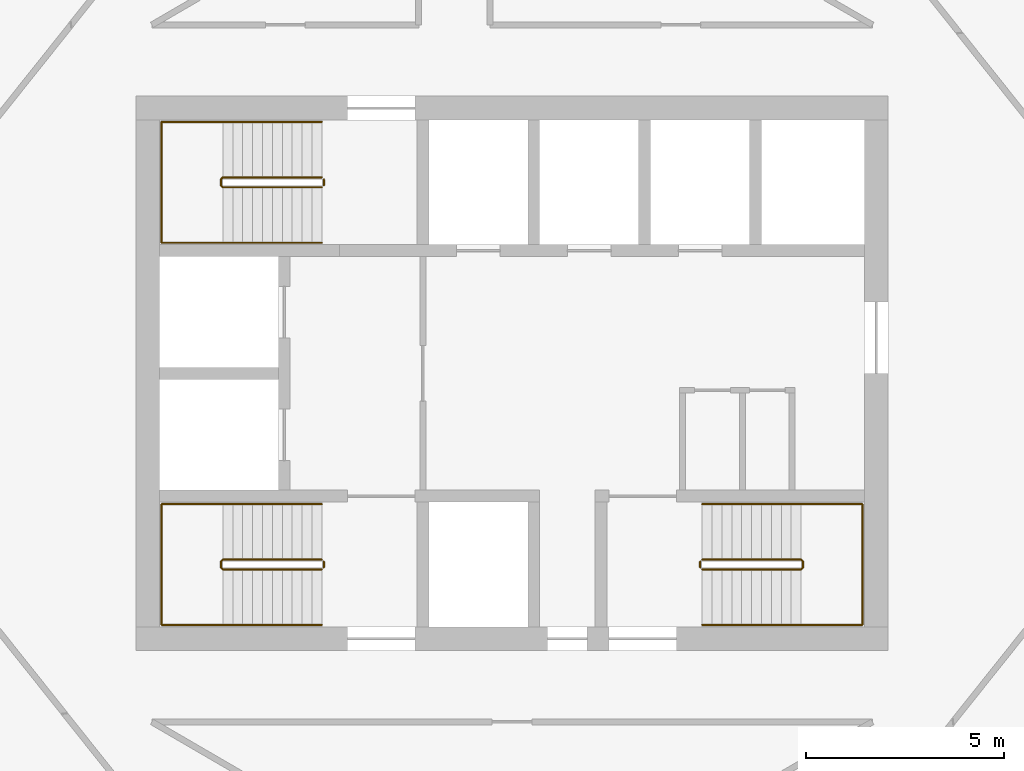
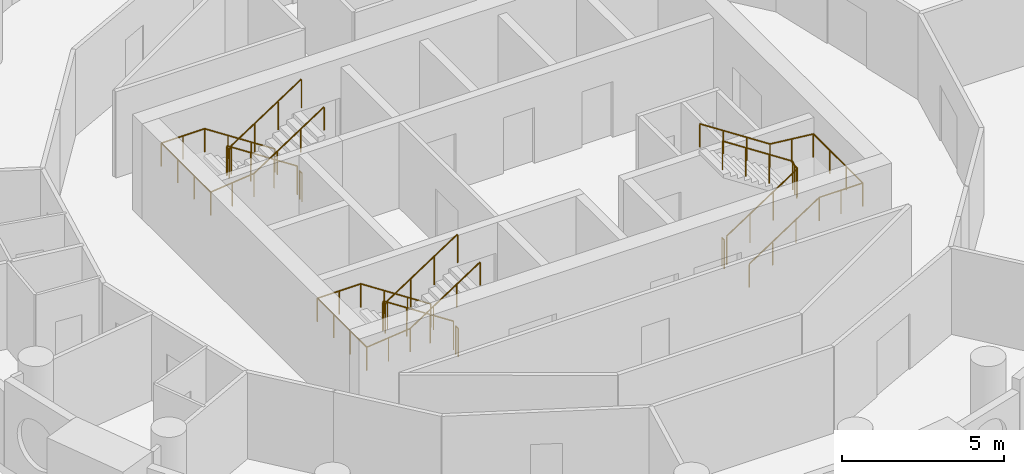
# One storey, part 12 of 12: 9 railings.
"""IFC4 building model written with IfcOpenShell, lengths in metres."""

from ifc_helpers import new_model, si_unit, direction, frame, origin, origin_2d, place, context, subcontext, project, spatial, circle, extrude, material, type_object, element, save


model = new_model("IFC4")

# Units and contexts
model_context = context("Model", 3, precision=1e-05, world=origin(), true_north=direction((0.0, 1.0)))
body_context = subcontext(model_context, "Body", "Model", "MODEL_VIEW")
ifc_project = project(units=[si_unit("LENGTHUNIT", "METRE"), si_unit("AREAUNIT", "SQUARE_METRE"), si_unit("VOLUMEUNIT", "CUBIC_METRE"), si_unit("PLANEANGLEUNIT", "RADIAN"), si_unit("MASSUNIT", "GRAM", prefix="KILO")], contexts=[model_context])

# Site, building, storey
site_placement = place(None, origin())
site = spatial("IfcSite", under=ifc_project, at=site_placement, CompositionType="ELEMENT")
building_placement = place(site_placement, origin())
building = spatial("IfcBuilding", under=site, at=building_placement, Name="Tracery Tower", CompositionType="ELEMENT")
storey_placement = place(building_placement, frame((0.0, 0.0, 249.0)))
storey = spatial("IfcBuildingStorey", under=building, at=storey_placement, Name="L64", CompositionType="ELEMENT", Elevation=249.0)

# Railings
ifc_material_1 = material(Name="Stainless steel and laminated glass", Category="steel")
railing_type_1 = type_object("IfcRailingType", Name="Stair guard 1100", PredefinedType="GUARDRAIL", material=ifc_material_1)
railing_1_placement = place(storey_placement, frame((-4.800048828125, -4.699951171875, 0.16357421875)))
element("IfcRailing", 1, at=railing_1_placement, inside=storey, type_object=railing_type_1, Name="L64 stair ST1 guard 1", PredefinedType="GUARDRAIL", context=body_context, shape_type="SweptSolid", body=[
    extrude(circle(Radius=0.02392578125, at=origin_2d()), frame((0.0, 0.0, 1.076171875), z_axis=(-0.83668449804, 0.0, 0.54768517484), x_axis=(0.0, -1.0, 0.0)), (0.0, 0.0, 1.0), 2.988037109375),
    extrude(circle(Radius=0.02392578125, at=origin_2d()), frame((-2.5, 0.0, 2.71240234375), z_axis=(-0.707106781187, -0.707106781187, 0.0), x_axis=(0.707106781187, -0.707106781187, 0.0)), (0.0, 0.0, 1.0), 0.07080078125),
    extrude(circle(Radius=0.02392578125, at=origin_2d()), frame((-2.550048828125, -0.050048828125, 2.71240234375), z_axis=(0.0, -1.0, 0.0), x_axis=(1.0, 0.0, 0.0)), (0.0, 0.0, 1.0), 0.14990234375),
    extrude(circle(Radius=0.02392578125, at=origin_2d()), frame((-2.550048828125, -0.199951171875, 2.71240234375), z_axis=(0.280808744504, -0.280808744504, 0.917765164963), x_axis=(0.707106781187, 0.707106781187, 0.0)), (0.0, 0.0, 1.0), 0.17822265625),
    extrude(circle(Radius=0.02392578125, at=origin_2d()), frame((-2.5, -0.25, 2.8759765625), z_axis=(0.83668449804, 0.0, 0.54768517484), x_axis=(0.0, 1.0, 0.0)), (0.0, 0.0, 1.0), 2.988037109375),
    extrude(circle(Radius=0.02099609375, at=origin_2d()), origin(), (0.0, 0.0, 1.0), 1.052001953125),
    extrude(circle(Radius=0.02099609375, at=origin_2d()), frame((-0.833251953125, 0.0, 0.54541015625)), (0.0, 0.0, 1.0), 1.052001953125),
    extrude(circle(Radius=0.02099609375, at=origin_2d()), frame((-1.666748046875, 0.0, 1.091064453125)), (0.0, 0.0, 1.0), 1.052001953125),
    extrude(circle(Radius=0.02099609375, at=origin_2d()), frame((-2.5, 0.0, 1.636474609375)), (0.0, 0.0, 1.0), 1.052001953125),
    extrude(circle(Radius=0.02099609375, at=origin_2d()), frame((-2.550048828125, -0.050048828125, 1.636474609375)), (0.0, 0.0, 1.0), 1.052001953125),
    extrude(circle(Radius=0.02099609375, at=origin_2d()), frame((-2.550048828125, -0.199951171875, 1.636474609375)), (0.0, 0.0, 1.0), 1.052001953125),
    extrude(circle(Radius=0.02099609375, at=origin_2d()), frame((-2.5, -0.25, 1.800048828125)), (0.0, 0.0, 1.0), 1.052001953125),
    extrude(circle(Radius=0.02099609375, at=origin_2d()), frame((-1.666748046875, -0.25, 2.345458984375)), (0.0, 0.0, 1.0), 1.052001953125),
    extrude(circle(Radius=0.02099609375, at=origin_2d()), frame((-0.833251953125, -0.25, 2.89111328125)), (0.0, 0.0, 1.0), 1.052001953125),
    extrude(circle(Radius=0.02099609375, at=origin_2d()), frame((0.0, -0.25, 3.4365234375)), (0.0, 0.0, 1.0), 1.052001953125),
])
railing_2_placement = place(storey_placement, frame((-4.75, -4.75, 0.0)))
element("IfcRailing", 2, at=railing_2_placement, inside=storey, type_object=railing_type_1, Name="L64 stair ST1 guard 2", PredefinedType="GUARDRAIL", context=body_context, shape_type="SweptSolid", body=[
    extrude(circle(Radius=0.02392578125, at=origin_2d()), frame((0.0, 0.0, 1.076171875), z_axis=(0.0, -1.0, 0.0), x_axis=(1.0, 0.0, 0.0)), (0.0, 0.0, 1.0), 0.14990234375),
    extrude(circle(Radius=0.02099609375, at=origin_2d()), origin(), (0.0, 0.0, 1.0), 1.052001953125),
    extrude(circle(Radius=0.02099609375, at=origin_2d()), frame((0.0, -0.14990234375, 0.0)), (0.0, 0.0, 1.0), 1.052001953125),
])
railing_3_placement = place(storey_placement, frame((-4.800048828125, 4.949951171875, 0.16357421875)))
element("IfcRailing", 3, at=railing_3_placement, inside=storey, type_object=railing_type_1, Name="L64 stair ST3 guard 1", PredefinedType="GUARDRAIL", context=body_context, shape_type="SweptSolid", body=[
    extrude(circle(Radius=0.02392578125, at=origin_2d()), frame((0.0, 0.0, 1.076171875), z_axis=(-0.83668449804, 0.0, 0.54768517484), x_axis=(0.0, -1.0, 0.0)), (0.0, 0.0, 1.0), 2.988037109375),
    extrude(circle(Radius=0.02392578125, at=origin_2d()), frame((-2.5, 0.0, 2.71240234375), z_axis=(-0.707106781187, -0.707106781187, 0.0), x_axis=(0.707106781187, -0.707106781187, 0.0)), (0.0, 0.0, 1.0), 0.07080078125),
    extrude(circle(Radius=0.02392578125, at=origin_2d()), frame((-2.550048828125, -0.050048828125, 2.71240234375), z_axis=(0.0, -1.0, 0.0), x_axis=(1.0, 0.0, 0.0)), (0.0, 0.0, 1.0), 0.14990234375),
    extrude(circle(Radius=0.02392578125, at=origin_2d()), frame((-2.550048828125, -0.199951171875, 2.71240234375), z_axis=(0.280808744504, -0.280808744504, 0.917765164963), x_axis=(0.707106781187, 0.707106781187, 0.0)), (0.0, 0.0, 1.0), 0.17822265625),
    extrude(circle(Radius=0.02392578125, at=origin_2d()), frame((-2.5, -0.25, 2.8759765625), z_axis=(0.83668449804, 0.0, 0.54768517484), x_axis=(0.0, 1.0, 0.0)), (0.0, 0.0, 1.0), 2.988037109375),
    extrude(circle(Radius=0.02099609375, at=origin_2d()), origin(), (0.0, 0.0, 1.0), 1.052001953125),
    extrude(circle(Radius=0.02099609375, at=origin_2d()), frame((-0.833251953125, 0.0, 0.54541015625)), (0.0, 0.0, 1.0), 1.052001953125),
    extrude(circle(Radius=0.02099609375, at=origin_2d()), frame((-1.666748046875, 0.0, 1.091064453125)), (0.0, 0.0, 1.0), 1.052001953125),
    extrude(circle(Radius=0.02099609375, at=origin_2d()), frame((-2.5, 0.0, 1.636474609375)), (0.0, 0.0, 1.0), 1.052001953125),
    extrude(circle(Radius=0.02099609375, at=origin_2d()), frame((-2.550048828125, -0.050048828125, 1.636474609375)), (0.0, 0.0, 1.0), 1.052001953125),
    extrude(circle(Radius=0.02099609375, at=origin_2d()), frame((-2.550048828125, -0.199951171875, 1.636474609375)), (0.0, 0.0, 1.0), 1.052001953125),
    extrude(circle(Radius=0.02099609375, at=origin_2d()), frame((-2.5, -0.25, 1.800048828125)), (0.0, 0.0, 1.0), 1.052001953125),
    extrude(circle(Radius=0.02099609375, at=origin_2d()), frame((-1.666748046875, -0.25, 2.345458984375)), (0.0, 0.0, 1.0), 1.052001953125),
    extrude(circle(Radius=0.02099609375, at=origin_2d()), frame((-0.833251953125, -0.25, 2.89111328125)), (0.0, 0.0, 1.0), 1.052001953125),
    extrude(circle(Radius=0.02099609375, at=origin_2d()), frame((0.0, -0.25, 3.4365234375)), (0.0, 0.0, 1.0), 1.052001953125),
])
railing_4_placement = place(storey_placement, frame((-4.75, 4.89990234375, 0.0)))
element("IfcRailing", 4, at=railing_4_placement, inside=storey, type_object=railing_type_1, Name="L64 stair ST3 guard 2", PredefinedType="GUARDRAIL", context=body_context, shape_type="SweptSolid", body=[
    extrude(circle(Radius=0.02392578125, at=origin_2d()), frame((0.0, 0.0, 1.076171875), z_axis=(0.0, -1.0, 0.0), x_axis=(1.0, 0.0, 0.0)), (0.0, 0.0, 1.0), 0.14990234375),
    extrude(circle(Radius=0.02099609375, at=origin_2d()), origin(), (0.0, 0.0, 1.0), 1.052001953125),
    extrude(circle(Radius=0.02099609375, at=origin_2d()), frame((0.0, -0.14990234375, 0.0)), (0.0, 0.0, 1.0), 1.052001953125),
])
railing_5_placement = place(storey_placement, frame((4.800048828125, -4.949951171875, 0.16357421875)))
element("IfcRailing", 5, at=railing_5_placement, inside=storey, type_object=railing_type_1, Name="L64 stair ST2 guard 1", PredefinedType="GUARDRAIL", context=body_context, shape_type="SweptSolid", body=[
    extrude(circle(Radius=0.02392578125, at=origin_2d()), frame((0.0, 0.0, 1.076171875), z_axis=(0.83668449804, 0.0, 0.54768517484), x_axis=(0.0, 1.0, 0.0)), (0.0, 0.0, 1.0), 2.988037109375),
    extrude(circle(Radius=0.02392578125, at=origin_2d()), frame((2.5, 0.0, 2.71240234375), z_axis=(0.707106781187, 0.707106781187, 0.0), x_axis=(-0.707106781187, 0.707106781187, 0.0)), (0.0, 0.0, 1.0), 0.07080078125),
    extrude(circle(Radius=0.02392578125, at=origin_2d()), frame((2.550048828125, 0.050048828125, 2.71240234375), z_axis=(0.0, 1.0, 0.0), x_axis=(-1.0, 0.0, 0.0)), (0.0, 0.0, 1.0), 0.14990234375),
    extrude(circle(Radius=0.02392578125, at=origin_2d()), frame((2.550048828125, 0.199951171875, 2.71240234375), z_axis=(-0.280808744504, 0.280808744504, 0.917765164963), x_axis=(-0.707106781187, -0.707106781187, 0.0)), (0.0, 0.0, 1.0), 0.17822265625),
    extrude(circle(Radius=0.02392578125, at=origin_2d()), frame((2.5, 0.25, 2.8759765625), z_axis=(-0.83668449804, 0.0, 0.54768517484), x_axis=(0.0, -1.0, 0.0)), (0.0, 0.0, 1.0), 2.988037109375),
    extrude(circle(Radius=0.02099609375, at=origin_2d()), origin(), (0.0, 0.0, 1.0), 1.052001953125),
    extrude(circle(Radius=0.02099609375, at=origin_2d()), frame((0.833251953125, 0.0, 0.54541015625)), (0.0, 0.0, 1.0), 1.052001953125),
    extrude(circle(Radius=0.02099609375, at=origin_2d()), frame((1.666748046875, 0.0, 1.091064453125)), (0.0, 0.0, 1.0), 1.052001953125),
    extrude(circle(Radius=0.02099609375, at=origin_2d()), frame((2.5, 0.0, 1.636474609375)), (0.0, 0.0, 1.0), 1.052001953125),
    extrude(circle(Radius=0.02099609375, at=origin_2d()), frame((2.550048828125, 0.050048828125, 1.636474609375)), (0.0, 0.0, 1.0), 1.052001953125),
    extrude(circle(Radius=0.02099609375, at=origin_2d()), frame((2.550048828125, 0.199951171875, 1.636474609375)), (0.0, 0.0, 1.0), 1.052001953125),
    extrude(circle(Radius=0.02099609375, at=origin_2d()), frame((2.5, 0.25, 1.800048828125)), (0.0, 0.0, 1.0), 1.052001953125),
    extrude(circle(Radius=0.02099609375, at=origin_2d()), frame((1.666748046875, 0.25, 2.345458984375)), (0.0, 0.0, 1.0), 1.052001953125),
    extrude(circle(Radius=0.02099609375, at=origin_2d()), frame((0.833251953125, 0.25, 2.89111328125)), (0.0, 0.0, 1.0), 1.052001953125),
    extrude(circle(Radius=0.02099609375, at=origin_2d()), frame((0.0, 0.25, 3.4365234375)), (0.0, 0.0, 1.0), 1.052001953125),
])
railing_6_placement = place(storey_placement, frame((4.75, -4.89990234375, 0.0)))
element("IfcRailing", 6, at=railing_6_placement, inside=storey, type_object=railing_type_1, Name="L64 stair ST2 guard 2", PredefinedType="GUARDRAIL", context=body_context, shape_type="SweptSolid", body=[
    extrude(circle(Radius=0.02392578125, at=origin_2d()), frame((0.0, 0.0, 1.076171875), z_axis=(0.0, 1.0, 0.0), x_axis=(-1.0, 0.0, 0.0)), (0.0, 0.0, 1.0), 0.14990234375),
    extrude(circle(Radius=0.02099609375, at=origin_2d()), origin(), (0.0, 0.0, 1.0), 1.052001953125),
    extrude(circle(Radius=0.02099609375, at=origin_2d()), frame((0.0, 0.14990234375, 0.0)), (0.0, 0.0, 1.0), 1.052001953125),
])
ifc_material_2 = material(Name="Stainless steel and laminated glass", Category="steel")
railing_type_2 = type_object("IfcRailingType", Name="Stair handrail 900", PredefinedType="HANDRAIL", material=ifc_material_2)
railing_7_placement = place(storey_placement, frame((-4.800048828125, -3.300048828125, 0.16357421875)))
element("IfcRailing", 7, at=railing_7_placement, inside=storey, type_object=railing_type_2, Name="L64 stair ST1 handrail 1", PredefinedType="HANDRAIL", context=body_context, shape_type="SweptSolid", body=[
    extrude(circle(Radius=0.02392578125, at=origin_2d()), frame((0.0, 0.0, 0.8759765625), z_axis=(-0.83668449804, 0.0, 0.54768517484), x_axis=(0.0, -1.0, 0.0)), (0.0, 0.0, 1.0), 2.988037109375),
    extrude(circle(Radius=0.02392578125, at=origin_2d()), frame((-2.5, 0.0, 2.51220703125), z_axis=(-1.0, 0.0, 0.0), x_axis=(0.0, -1.0, 0.0)), (0.0, 0.0, 1.0), 1.550048828125),
    extrude(circle(Radius=0.02392578125, at=origin_2d()), frame((-4.050048828125, 0.0, 2.51220703125), z_axis=(0.0, -1.0, 0.0), x_axis=(1.0, 0.0, 0.0)), (0.0, 0.0, 1.0), 3.050048828125),
    extrude(circle(Radius=0.02392578125, at=origin_2d()), frame((-4.050048828125, -3.050048828125, 2.51220703125), z_axis=(0.994477953863, 0.0, 0.104945696817), x_axis=(0.0, 1.0, 0.0)), (0.0, 0.0, 1.0), 1.55859375),
    extrude(circle(Radius=0.02392578125, at=origin_2d()), frame((-2.5, -3.050048828125, 2.67578125), z_axis=(0.83668449804, 0.0, 0.54768517484), x_axis=(0.0, 1.0, 0.0)), (0.0, 0.0, 1.0), 2.988037109375),
    extrude(circle(Radius=0.02099609375, at=origin_2d()), origin(), (0.0, 0.0, 1.0), 0.851806640625),
    extrude(circle(Radius=0.02099609375, at=origin_2d()), frame((-0.833251953125, 0.0, 0.54541015625)), (0.0, 0.0, 1.0), 0.851806640625),
    extrude(circle(Radius=0.02099609375, at=origin_2d()), frame((-1.666748046875, 0.0, 1.091064453125)), (0.0, 0.0, 1.0), 0.851806640625),
    extrude(circle(Radius=0.02099609375, at=origin_2d()), frame((-2.5, 0.0, 1.636474609375)), (0.0, 0.0, 1.0), 0.851806640625),
    extrude(circle(Radius=0.02099609375, at=origin_2d()), frame((-3.27490234375, 0.0, 1.636474609375)), (0.0, 0.0, 1.0), 0.851806640625),
    extrude(circle(Radius=0.02099609375, at=origin_2d()), frame((-4.050048828125, 0.0, 1.636474609375)), (0.0, 0.0, 1.0), 0.851806640625),
    extrude(circle(Radius=0.02099609375, at=origin_2d()), frame((-4.050048828125, -1.0166015625, 1.636474609375)), (0.0, 0.0, 1.0), 0.851806640625),
    extrude(circle(Radius=0.02099609375, at=origin_2d()), frame((-4.050048828125, -2.033447265625, 1.636474609375)), (0.0, 0.0, 1.0), 0.851806640625),
    extrude(circle(Radius=0.02099609375, at=origin_2d()), frame((-4.050048828125, -3.050048828125, 1.636474609375)), (0.0, 0.0, 1.0), 0.851806640625),
    extrude(circle(Radius=0.02099609375, at=origin_2d()), frame((-3.27490234375, -3.050048828125, 1.71826171875)), (0.0, 0.0, 1.0), 0.851806640625),
    extrude(circle(Radius=0.02099609375, at=origin_2d()), frame((-2.5, -3.050048828125, 1.800048828125)), (0.0, 0.0, 1.0), 0.851806640625),
    extrude(circle(Radius=0.02099609375, at=origin_2d()), frame((-1.666748046875, -3.050048828125, 2.345458984375)), (0.0, 0.0, 1.0), 0.851806640625),
    extrude(circle(Radius=0.02099609375, at=origin_2d()), frame((-0.833251953125, -3.050048828125, 2.89111328125)), (0.0, 0.0, 1.0), 0.851806640625),
    extrude(circle(Radius=0.02099609375, at=origin_2d()), frame((0.0, -3.050048828125, 3.4365234375)), (0.0, 0.0, 1.0), 0.851806640625),
])
railing_8_placement = place(storey_placement, frame((-4.800048828125, 6.35009765625, 0.16357421875)))
element("IfcRailing", 8, at=railing_8_placement, inside=storey, type_object=railing_type_2, Name="L64 stair ST3 handrail 1", PredefinedType="HANDRAIL", context=body_context, shape_type="SweptSolid", body=[
    extrude(circle(Radius=0.02392578125, at=origin_2d()), frame((0.0, 0.0, 0.8759765625), z_axis=(-0.83668449804, 0.0, 0.54768517484), x_axis=(0.0, -1.0, 0.0)), (0.0, 0.0, 1.0), 2.988037109375),
    extrude(circle(Radius=0.02392578125, at=origin_2d()), frame((-2.5, 0.0, 2.51220703125), z_axis=(-1.0, 0.0, 0.0), x_axis=(0.0, -1.0, 0.0)), (0.0, 0.0, 1.0), 1.550048828125),
    extrude(circle(Radius=0.02392578125, at=origin_2d()), frame((-4.050048828125, 0.0, 2.51220703125), z_axis=(0.0, -1.0, 0.0), x_axis=(1.0, 0.0, 0.0)), (0.0, 0.0, 1.0), 3.050048828125),
    extrude(circle(Radius=0.02392578125, at=origin_2d()), frame((-4.050048828125, -3.050048828125, 2.51220703125), z_axis=(0.994477953863, 0.0, 0.104945696817), x_axis=(0.0, 1.0, 0.0)), (0.0, 0.0, 1.0), 1.55859375),
    extrude(circle(Radius=0.02392578125, at=origin_2d()), frame((-2.5, -3.050048828125, 2.67578125), z_axis=(0.83668449804, 0.0, 0.54768517484), x_axis=(0.0, 1.0, 0.0)), (0.0, 0.0, 1.0), 2.988037109375),
    extrude(circle(Radius=0.02099609375, at=origin_2d()), origin(), (0.0, 0.0, 1.0), 0.851806640625),
    extrude(circle(Radius=0.02099609375, at=origin_2d()), frame((-0.833251953125, 0.0, 0.54541015625)), (0.0, 0.0, 1.0), 0.851806640625),
    extrude(circle(Radius=0.02099609375, at=origin_2d()), frame((-1.666748046875, 0.0, 1.091064453125)), (0.0, 0.0, 1.0), 0.851806640625),
    extrude(circle(Radius=0.02099609375, at=origin_2d()), frame((-2.5, 0.0, 1.636474609375)), (0.0, 0.0, 1.0), 0.851806640625),
    extrude(circle(Radius=0.02099609375, at=origin_2d()), frame((-3.27490234375, 0.0, 1.636474609375)), (0.0, 0.0, 1.0), 0.851806640625),
    extrude(circle(Radius=0.02099609375, at=origin_2d()), frame((-4.050048828125, 0.0, 1.636474609375)), (0.0, 0.0, 1.0), 0.851806640625),
    extrude(circle(Radius=0.02099609375, at=origin_2d()), frame((-4.050048828125, -1.0166015625, 1.636474609375)), (0.0, 0.0, 1.0), 0.851806640625),
    extrude(circle(Radius=0.02099609375, at=origin_2d()), frame((-4.050048828125, -2.033447265625, 1.636474609375)), (0.0, 0.0, 1.0), 0.851806640625),
    extrude(circle(Radius=0.02099609375, at=origin_2d()), frame((-4.050048828125, -3.050048828125, 1.636474609375)), (0.0, 0.0, 1.0), 0.851806640625),
    extrude(circle(Radius=0.02099609375, at=origin_2d()), frame((-3.27490234375, -3.050048828125, 1.71826171875)), (0.0, 0.0, 1.0), 0.851806640625),
    extrude(circle(Radius=0.02099609375, at=origin_2d()), frame((-2.5, -3.050048828125, 1.800048828125)), (0.0, 0.0, 1.0), 0.851806640625),
    extrude(circle(Radius=0.02099609375, at=origin_2d()), frame((-1.666748046875, -3.050048828125, 2.345458984375)), (0.0, 0.0, 1.0), 0.851806640625),
    extrude(circle(Radius=0.02099609375, at=origin_2d()), frame((-0.833251953125, -3.050048828125, 2.89111328125)), (0.0, 0.0, 1.0), 0.851806640625),
    extrude(circle(Radius=0.02099609375, at=origin_2d()), frame((0.0, -3.050048828125, 3.4365234375)), (0.0, 0.0, 1.0), 0.851806640625),
])
railing_9_placement = place(storey_placement, frame((4.800048828125, -6.35009765625, 0.16357421875)))
element("IfcRailing", 9, at=railing_9_placement, inside=storey, type_object=railing_type_2, Name="L64 stair ST2 handrail 1", PredefinedType="HANDRAIL", context=body_context, shape_type="SweptSolid", body=[
    extrude(circle(Radius=0.02392578125, at=origin_2d()), frame((0.0, 0.0, 0.8759765625), z_axis=(0.83668449804, 0.0, 0.54768517484), x_axis=(0.0, 1.0, 0.0)), (0.0, 0.0, 1.0), 2.988037109375),
    extrude(circle(Radius=0.02392578125, at=origin_2d()), frame((2.5, 0.0, 2.51220703125), z_axis=(1.0, 0.0, 0.0), x_axis=(0.0, 1.0, 0.0)), (0.0, 0.0, 1.0), 1.550048828125),
    extrude(circle(Radius=0.02392578125, at=origin_2d()), frame((4.050048828125, 0.0, 2.51220703125), z_axis=(0.0, 1.0, 0.0), x_axis=(-1.0, 0.0, 0.0)), (0.0, 0.0, 1.0), 3.050048828125),
    extrude(circle(Radius=0.02392578125, at=origin_2d()), frame((4.050048828125, 3.050048828125, 2.51220703125), z_axis=(-0.994477953863, 0.0, 0.104945696817), x_axis=(0.0, -1.0, 0.0)), (0.0, 0.0, 1.0), 1.55859375),
    extrude(circle(Radius=0.02392578125, at=origin_2d()), frame((2.5, 3.050048828125, 2.67578125), z_axis=(-0.83668449804, 0.0, 0.54768517484), x_axis=(0.0, -1.0, 0.0)), (0.0, 0.0, 1.0), 2.988037109375),
    extrude(circle(Radius=0.02099609375, at=origin_2d()), origin(), (0.0, 0.0, 1.0), 0.851806640625),
    extrude(circle(Radius=0.02099609375, at=origin_2d()), frame((0.833251953125, 0.0, 0.54541015625)), (0.0, 0.0, 1.0), 0.851806640625),
    extrude(circle(Radius=0.02099609375, at=origin_2d()), frame((1.666748046875, 0.0, 1.091064453125)), (0.0, 0.0, 1.0), 0.851806640625),
    extrude(circle(Radius=0.02099609375, at=origin_2d()), frame((2.5, 0.0, 1.636474609375)), (0.0, 0.0, 1.0), 0.851806640625),
    extrude(circle(Radius=0.02099609375, at=origin_2d()), frame((3.27490234375, 0.0, 1.636474609375)), (0.0, 0.0, 1.0), 0.851806640625),
    extrude(circle(Radius=0.02099609375, at=origin_2d()), frame((4.050048828125, 0.0, 1.636474609375)), (0.0, 0.0, 1.0), 0.851806640625),
    extrude(circle(Radius=0.02099609375, at=origin_2d()), frame((4.050048828125, 1.0166015625, 1.636474609375)), (0.0, 0.0, 1.0), 0.851806640625),
    extrude(circle(Radius=0.02099609375, at=origin_2d()), frame((4.050048828125, 2.033447265625, 1.636474609375)), (0.0, 0.0, 1.0), 0.851806640625),
    extrude(circle(Radius=0.02099609375, at=origin_2d()), frame((4.050048828125, 3.050048828125, 1.636474609375)), (0.0, 0.0, 1.0), 0.851806640625),
    extrude(circle(Radius=0.02099609375, at=origin_2d()), frame((3.27490234375, 3.050048828125, 1.71826171875)), (0.0, 0.0, 1.0), 0.851806640625),
    extrude(circle(Radius=0.02099609375, at=origin_2d()), frame((2.5, 3.050048828125, 1.800048828125)), (0.0, 0.0, 1.0), 0.851806640625),
    extrude(circle(Radius=0.02099609375, at=origin_2d()), frame((1.666748046875, 3.050048828125, 2.345458984375)), (0.0, 0.0, 1.0), 0.851806640625),
    extrude(circle(Radius=0.02099609375, at=origin_2d()), frame((0.833251953125, 3.050048828125, 2.89111328125)), (0.0, 0.0, 1.0), 0.851806640625),
    extrude(circle(Radius=0.02099609375, at=origin_2d()), frame((0.0, 3.050048828125, 3.4365234375)), (0.0, 0.0, 1.0), 0.851806640625),
])

save(model, "model.ifc")
